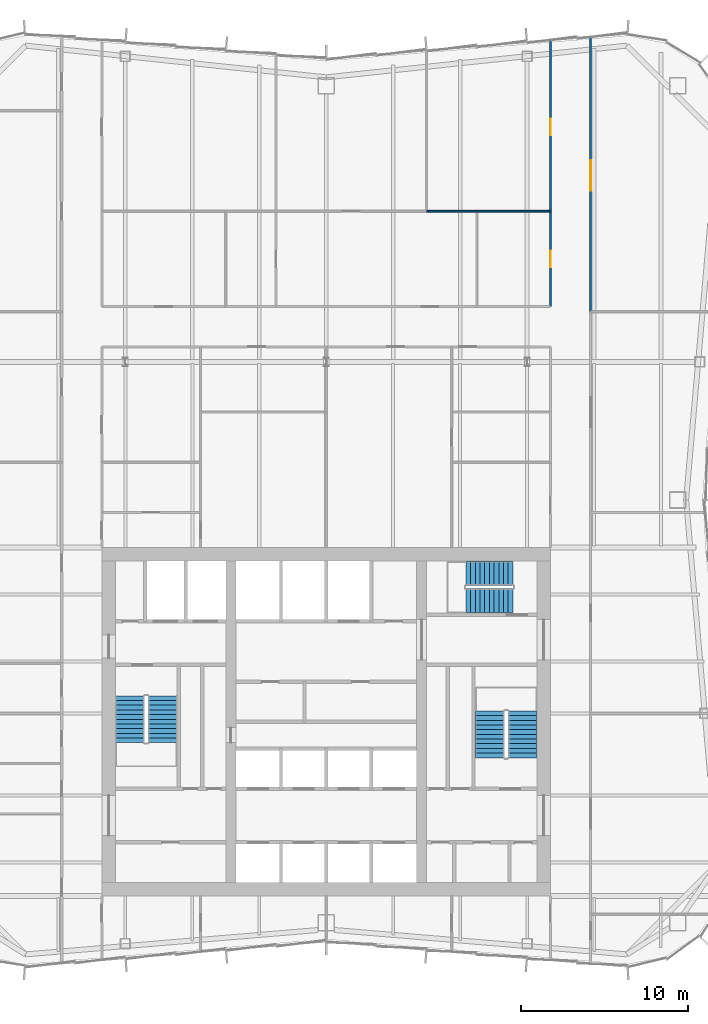
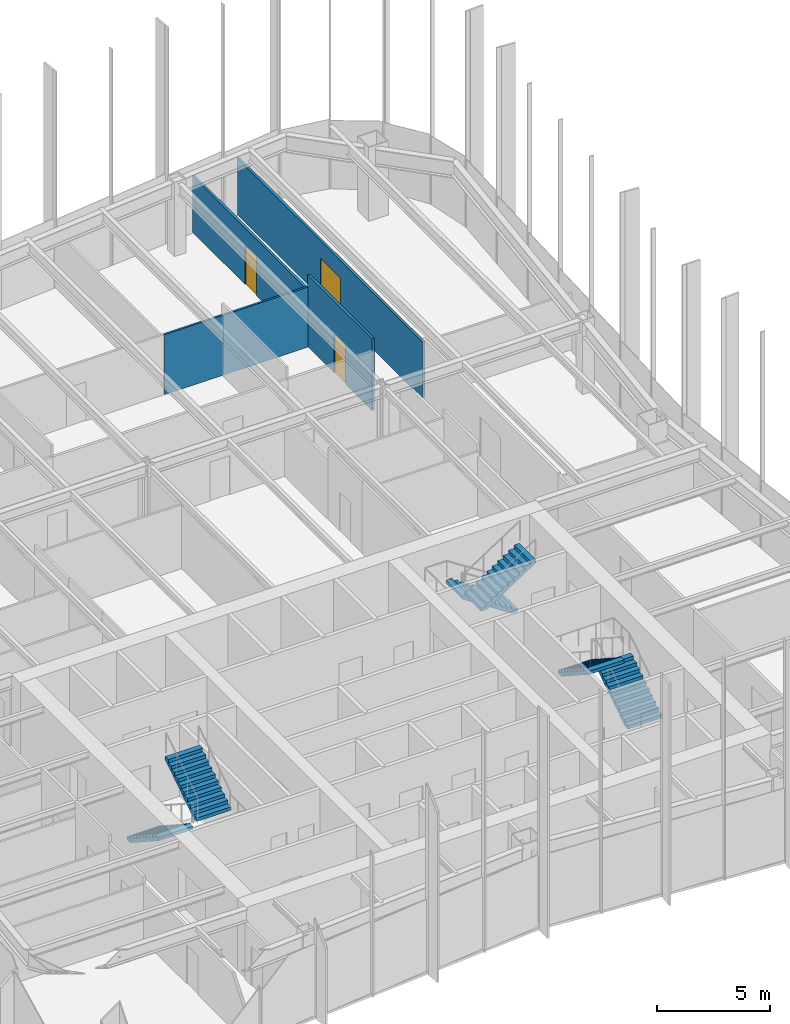
# One storey, part 14 of 15: 6 stair flights, 5 walls, 3 doors, 3 openings, 3 elements without a shape of their own.
"""IFC4 building model written with IfcOpenShell, lengths in metres."""

from ifc_helpers import new_model, si_unit, direction, frame, frame_2d, origin, place, context, subcontext, project, spatial, polyline, rectangle, outline, extrude, material, layer, layer_set, type_object, element, fill, aggregate, save


model = new_model("IFC4")

# Units and contexts
model_context = context("Model", 3, precision=1e-05, world=origin(), true_north=direction((0.0, 1.0)))
body_context = subcontext(model_context, "Body", "Model", "MODEL_VIEW")
ifc_project = project(units=[si_unit("LENGTHUNIT", "METRE"), si_unit("AREAUNIT", "SQUARE_METRE"), si_unit("VOLUMEUNIT", "CUBIC_METRE"), si_unit("PLANEANGLEUNIT", "RADIAN"), si_unit("MASSUNIT", "GRAM", prefix="KILO")], contexts=[model_context])

# Site, building, storey
site_placement = place(None, origin())
site = spatial("IfcSite", under=ifc_project, at=site_placement, CompositionType="ELEMENT")
building_placement = place(site_placement, origin())
building = spatial("IfcBuilding", under=site, at=building_placement, Name="Verdant Reach Tower", CompositionType="ELEMENT")
storey_placement = place(building_placement, frame((0.0, 0.0, 250.0)))
storey = spatial("IfcBuildingStorey", under=building, at=storey_placement, Name="L57", CompositionType="ELEMENT", Elevation=250.0)

# Walls
ifc_material_1 = material(Name="Gypsum board on steel studs", Category="steel")
ifc_layer_1 = layer(ifc_material_1, 0.10009765625)
ifc_layer_set_1 = layer_set([ifc_layer_1], Name="FL-W1 Partition 100")
wall_type_1 = type_object("IfcWallType", Name="FL-W1 Partition 100", PredefinedType="PARTITIONING", material=ifc_layer_set_1)
wall_1_placement = place(storey_placement, frame((9.00390625, 58.5, 0.0), z_axis=(0.0, 0.0, 1.0), x_axis=(-1.0, 0.0, 0.0)))
element("IfcWall", 1, at=wall_1_placement, inside=storey, type_object=wall_type_1, Name="Partition 57.68", PredefinedType="PARTITIONING", context=body_context, shape_type="SweptSolid", body=[
    extrude(rectangle(XDim=3.00390625, YDim=0.10009765625, at=frame_2d((1.501953125, 0.0))), origin(), (0.0, 0.0, 1.0), 3.239990234375),
])
wall_2_placement = place(storey_placement, frame((13.39990234375, 58.5, 0.0), z_axis=(0.0, 0.0, 1.0), x_axis=(-1.0, 0.0, 0.0)))
element("IfcWall", 2, at=wall_2_placement, inside=storey, type_object=wall_type_1, Name="Partition 57.69", PredefinedType="PARTITIONING", context=body_context, shape_type="SweptSolid", body=[
    extrude(rectangle(XDim=4.40380859375, YDim=0.10009765625, at=frame_2d((2.201904296875, 0.0))), origin(), (0.0, 0.0, 1.0), 3.239990234375),
])

# Wall, opening, door
ifc_material_2 = material(Name="Gypsum board on steel studs, fire rated", Category="steel")
ifc_layer_2 = layer(ifc_material_2, 0.125)
ifc_layer_set_2 = layer_set([ifc_layer_2], Name="FL-W2 Corridor wall 125")
wall_type_2 = type_object("IfcWallType", Name="FL-W2 Corridor wall 125", PredefinedType="PARTITIONING", material=ifc_layer_set_2)
wall_3_placement = place(storey_placement, frame((15.800048828125, 52.5, 0.0), z_axis=(0.0, 0.0, 1.0), x_axis=(0.0, 1.0, 0.0)))
wall_3 = element("IfcWall", 3, at=wall_3_placement, inside=storey, type_object=wall_type_2, Name="Partition 57.13", PredefinedType="PARTITIONING", context=body_context, shape_type="SweptSolid", body=[
    extrude(rectangle(XDim=16.396728515625, YDim=0.125, at=frame_2d((8.1982421875, 0.0))), origin(), (0.0, 0.0, 1.0), 3.0400390625),
])
opening_1_placement = place(wall_3_placement, frame((7.233154296875, 0.0, 0.0)))
opening_1 = element("IfcOpeningElement", 4, at=opening_1_placement, cuts=wall_3, Name="Opening D4", PredefinedType="OPENING", context=body_context, shape_type="SweptSolid", body=[
    extrude(rectangle(XDim=1.800048828125, YDim=2.10009765625, at=frame_2d((0.89990234375, 1.050048828125))), frame((0.0, 0.072509765625, 0.0), z_axis=(0.0, -1.0, 0.0), x_axis=(1.0, 0.0, 0.0)), (0.0, 0.0, 1.0), 0.14501953125),
])
ifc_material_3 = material(Name="Timber door leaves, fire rated", Category="wood")
door_type_1 = type_object("IfcDoorType", Name="FL-D4 Double door 1800x2100 FD30", OperationType="DOUBLE_DOOR_SINGLE_SWING", PredefinedType="DOOR", material=ifc_material_3)
door_1_placement = place(opening_1_placement, origin())
door_1 = element("IfcDoor", 5, at=door_1_placement, inside=storey, type_object=door_type_1, Name="Door 57-013", OperationType="DOUBLE_DOOR_SINGLE_SWING", OverallHeight=2.10009765625, OverallWidth=1.800048828125, PredefinedType="DOOR", context=body_context, shape_type="SweptSolid", body=[
    extrude(rectangle(XDim=1.800048828125, YDim=2.10009765625, at=frame_2d((0.89990234375, 1.050048828125))), frame((0.0, 0.02490234375, 0.0), z_axis=(0.0, -1.0, 0.0), x_axis=(1.0, 0.0, 0.0)), (0.0, 0.0, 1.0), 0.050048828125),
])
fill(opening_1, door_1)

wall_4_placement = place(storey_placement, frame((13.39990234375, 52.800048828125, 0.0), z_axis=(0.0, 0.0, 1.0), x_axis=(0.0, 1.0, 0.0)))
wall_4 = element("IfcWall", 6, at=wall_4_placement, inside=storey, type_object=wall_type_2, Name="Partition 57.30", PredefinedType="PARTITIONING", context=body_context, shape_type="SweptSolid", body=[
    extrude(rectangle(XDim=5.699951171875, YDim=0.125, at=frame_2d((2.85009765625, 0.0))), origin(), (0.0, 0.0, 1.0), 3.8701171875),
])
opening_2_placement = place(wall_4_placement, frame((2.35009765625, 0.0, 0.0)))
opening_2 = element("IfcOpeningElement", 7, at=opening_2_placement, cuts=wall_4, Name="Opening D2", PredefinedType="OPENING", context=body_context, shape_type="SweptSolid", body=[
    extrude(rectangle(XDim=1.0, YDim=2.10009765625, at=frame_2d((0.5, 1.050048828125))), frame((0.0, 0.072509765625, 0.0), z_axis=(0.0, -1.0, 0.0), x_axis=(1.0, 0.0, 0.0)), (0.0, 0.0, 1.0), 0.14501953125),
])
ifc_material_4 = material(Name="Timber door leaf, fire rated", Category="wood")
door_type_2 = type_object("IfcDoorType", Name="FL-D2 Entrance door 1000x2100 FD30", OperationType="NOTDEFINED", PredefinedType="DOOR", material=ifc_material_4)
door_2_placement = place(opening_2_placement, origin())
door_2 = element("IfcDoor", 8, at=door_2_placement, inside=storey, type_object=door_type_2, Name="Door 57-024", OperationType="SINGLE_SWING_RIGHT", OverallHeight=2.10009765625, OverallWidth=1.0, PredefinedType="DOOR", context=body_context, shape_type="SweptSolid", body=[
    extrude(rectangle(XDim=1.0, YDim=2.10009765625, at=frame_2d((0.5, 1.050048828125))), frame((0.0, 0.02490234375, 0.0), z_axis=(0.0, -1.0, 0.0), x_axis=(1.0, 0.0, 0.0)), (0.0, 0.0, 1.0), 0.050048828125),
])
fill(opening_2, door_2)

wall_5_placement = place(storey_placement, frame((13.39990234375, 58.5, 0.0), z_axis=(0.0, 0.0, 1.0), x_axis=(0.0, 1.0, 0.0)))
wall_5 = element("IfcWall", 9, at=wall_5_placement, inside=storey, type_object=wall_type_2, Name="Partition 57.33", PredefinedType="PARTITIONING", context=body_context, shape_type="SweptSolid", body=[
    extrude(rectangle(XDim=10.19677734375, YDim=0.125, at=frame_2d((5.098388671875, 0.0))), origin(), (0.0, 0.0, 1.0), 3.0400390625),
])
opening_3_placement = place(wall_5_placement, frame((4.533203125, 0.0, 0.0)))
opening_3 = element("IfcOpeningElement", 10, at=opening_3_placement, cuts=wall_5, Name="Opening D2", PredefinedType="OPENING", context=body_context, shape_type="SweptSolid", body=[
    extrude(rectangle(XDim=1.0, YDim=2.10009765625, at=frame_2d((0.5, 1.050048828125))), frame((0.0, 0.072509765625, 0.0), z_axis=(0.0, -1.0, 0.0), x_axis=(1.0, 0.0, 0.0)), (0.0, 0.0, 1.0), 0.14501953125),
])
door_3_placement = place(opening_3_placement, origin())
door_3 = element("IfcDoor", 11, at=door_3_placement, inside=storey, type_object=door_type_2, Name="Door 57-026", OperationType="SINGLE_SWING_LEFT", OverallHeight=2.10009765625, OverallWidth=1.0, PredefinedType="DOOR", context=body_context, shape_type="SweptSolid", body=[
    extrude(rectangle(XDim=1.0, YDim=2.10009765625, at=frame_2d((0.5, 1.050048828125))), frame((0.0, 0.02490234375, 0.0), z_axis=(0.0, -1.0, 0.0), x_axis=(1.0, 0.0, 0.0)), (0.0, 0.0, 1.0), 0.050048828125),
])
fill(opening_3, door_3)

# Stair, stair flights
ifc_material_5 = material(Name="Concrete C40/50", Category="concrete")
stair_type = type_object("IfcStairType", Name="CO-STAIR", PredefinedType="HALF_TURN_STAIR", material=ifc_material_5)
stair_1_placement = place(storey_placement, origin())
stair_1 = element("IfcStair", 12, at=stair_1_placement, inside=storey, type_object=stair_type, Name="L57 Exit stair 1", PredefinedType="HALF_TURN_STAIR")
stair_flight_type = type_object("IfcStairFlightType", Name="CO-STAIR-FLIGHT", PredefinedType="STRAIGHT", material=ifc_material_5)
stair_flight_1_placement = place(storey_placement, frame((-11.72509765625, 29.550048828125, 0.0), z_axis=(0.0, 0.0, 1.0), x_axis=(0.0, -1.0, 0.0)))
stair_flight_1 = element("IfcStairFlight", 13, at=stair_flight_1_placement, type_object=stair_flight_type, Name="ST-1 flight 1", NumberOfRisers=11, NumberOfTreads=10, PredefinedType="STRAIGHT", RiserHeight=0.181818182, TreadLength=0.28, context=body_context, shape_type="SweptSolid", body=[
    extrude(outline(polyline([(0.0, 0.0), (0.0, 0.181884765625), (0.280029296875, 0.181884765625), (0.280029296875, 0.363525390625), (0.56005859375, 0.363525390625), (0.56005859375, 0.54541015625), (0.840087890625, 0.54541015625), (0.840087890625, 0.727294921875), (1.1201171875, 0.727294921875), (1.1201171875, 0.9091796875), (1.39990234375, 0.9091796875), (1.39990234375, 1.0908203125), (1.679931640625, 1.0908203125), (1.679931640625, 1.272705078125), (1.9599609375, 1.272705078125), (1.9599609375, 1.45458984375), (2.239990234375, 1.45458984375), (2.239990234375, 1.636474609375), (2.52001953125, 1.636474609375), (2.52001953125, 1.818115234375), (2.800048828125, 1.818115234375), (2.800048828125, 2.0), (2.800048828125, 1.639404296875), (0.275146484375, 0.0), (0.0, 0.0)])), frame((0.0, 0.875, 0.0), z_axis=(0.0, -1.0, 0.0), x_axis=(1.0, 0.0, 0.0)), (0.0, 0.0, 1.0), 1.75),
])
stair_flight_2_placement = place(storey_placement, frame((-9.77490234375, 26.75, 2.0), z_axis=(0.0, 0.0, 1.0), x_axis=(0.0, 1.0, 0.0)))
stair_flight_2 = element("IfcStairFlight", 14, at=stair_flight_2_placement, type_object=stair_flight_type, Name="ST-1 flight 2", NumberOfRisers=11, NumberOfTreads=10, PredefinedType="STRAIGHT", RiserHeight=0.181818182, TreadLength=0.28, context=body_context, shape_type="SweptSolid", body=[
    extrude(outline(polyline([(0.0, 0.0), (0.0, 0.181884765625), (0.280029296875, 0.181884765625), (0.280029296875, 0.363525390625), (0.56005859375, 0.363525390625), (0.56005859375, 0.54541015625), (0.840087890625, 0.54541015625), (0.840087890625, 0.727294921875), (1.1201171875, 0.727294921875), (1.1201171875, 0.9091796875), (1.39990234375, 0.9091796875), (1.39990234375, 1.0908203125), (1.679931640625, 1.0908203125), (1.679931640625, 1.272705078125), (1.9599609375, 1.272705078125), (1.9599609375, 1.45458984375), (2.239990234375, 1.45458984375), (2.239990234375, 1.636474609375), (2.52001953125, 1.636474609375), (2.52001953125, 1.818115234375), (2.800048828125, 1.818115234375), (2.800048828125, 2.0), (2.800048828125, 1.639404296875), (0.275146484375, 0.0), (0.0, 0.0)])), frame((0.0, 0.875, 0.0), z_axis=(0.0, -1.0, 0.0), x_axis=(1.0, 0.0, 0.0)), (0.0, 0.0, 1.0), 1.75),
])
aggregate(stair_1, [stair_flight_1, stair_flight_2])

stair_2_placement = place(storey_placement, origin())
stair_2 = element("IfcStair", 15, at=stair_2_placement, inside=storey, type_object=stair_type, Name="L57 Exit stair 2", PredefinedType="HALF_TURN_STAIR")
stair_flight_3_placement = place(storey_placement, frame((11.72509765625, 25.85009765625, 0.0), z_axis=(0.0, 0.0, 1.0), x_axis=(0.0, 1.0, 0.0)))
stair_flight_3 = element("IfcStairFlight", 16, at=stair_flight_3_placement, type_object=stair_flight_type, Name="ST-2 flight 1", NumberOfRisers=11, NumberOfTreads=10, PredefinedType="STRAIGHT", RiserHeight=0.181818182, TreadLength=0.28, context=body_context, shape_type="SweptSolid", body=[
    extrude(outline(polyline([(0.0, 0.0), (0.0, 0.181884765625), (0.280029296875, 0.181884765625), (0.280029296875, 0.363525390625), (0.56005859375, 0.363525390625), (0.56005859375, 0.54541015625), (0.840087890625, 0.54541015625), (0.840087890625, 0.727294921875), (1.1201171875, 0.727294921875), (1.1201171875, 0.9091796875), (1.39990234375, 0.9091796875), (1.39990234375, 1.0908203125), (1.679931640625, 1.0908203125), (1.679931640625, 1.272705078125), (1.9599609375, 1.272705078125), (1.9599609375, 1.45458984375), (2.239990234375, 1.45458984375), (2.239990234375, 1.636474609375), (2.52001953125, 1.636474609375), (2.52001953125, 1.818115234375), (2.800048828125, 1.818115234375), (2.800048828125, 2.0), (2.800048828125, 1.639404296875), (0.275146484375, 0.0), (0.0, 0.0)])), frame((0.0, 0.875, 0.0), z_axis=(0.0, -1.0, 0.0), x_axis=(1.0, 0.0, 0.0)), (0.0, 0.0, 1.0), 1.75),
])
stair_flight_4_placement = place(storey_placement, frame((9.77490234375, 28.64990234375, 2.0), z_axis=(0.0, 0.0, 1.0), x_axis=(0.0, -1.0, 0.0)))
stair_flight_4 = element("IfcStairFlight", 17, at=stair_flight_4_placement, type_object=stair_flight_type, Name="ST-2 flight 2", NumberOfRisers=11, NumberOfTreads=10, PredefinedType="STRAIGHT", RiserHeight=0.181818182, TreadLength=0.28, context=body_context, shape_type="SweptSolid", body=[
    extrude(outline(polyline([(0.0, 0.0), (0.0, 0.181884765625), (0.280029296875, 0.181884765625), (0.280029296875, 0.363525390625), (0.56005859375, 0.363525390625), (0.56005859375, 0.54541015625), (0.840087890625, 0.54541015625), (0.840087890625, 0.727294921875), (1.1201171875, 0.727294921875), (1.1201171875, 0.9091796875), (1.39990234375, 0.9091796875), (1.39990234375, 1.0908203125), (1.679931640625, 1.0908203125), (1.679931640625, 1.272705078125), (1.9599609375, 1.272705078125), (1.9599609375, 1.45458984375), (2.239990234375, 1.45458984375), (2.239990234375, 1.636474609375), (2.52001953125, 1.636474609375), (2.52001953125, 1.818115234375), (2.800048828125, 1.818115234375), (2.800048828125, 2.0), (2.800048828125, 1.639404296875), (0.275146484375, 0.0), (0.0, 0.0)])), frame((0.0, 0.875, 0.0), z_axis=(0.0, -1.0, 0.0), x_axis=(1.0, 0.0, 0.0)), (0.0, 0.0, 1.0), 1.75),
])
aggregate(stair_2, [stair_flight_3, stair_flight_4])

stair_3_placement = place(storey_placement, origin())
stair_3 = element("IfcStair", 18, at=stair_3_placement, inside=storey, type_object=stair_type, Name="L57 Exit stair 3", PredefinedType="HALF_TURN_STAIR")
stair_flight_5_placement = place(storey_placement, frame((11.14990234375, 36.875, 0.0), z_axis=(0.0, 0.0, 1.0), x_axis=(-1.0, 0.0, 0.0)))
stair_flight_5 = element("IfcStairFlight", 19, at=stair_flight_5_placement, type_object=stair_flight_type, Name="ST-3 flight 1", NumberOfRisers=11, NumberOfTreads=10, PredefinedType="STRAIGHT", RiserHeight=0.181818182, TreadLength=0.28, context=body_context, shape_type="SweptSolid", body=[
    extrude(outline(polyline([(0.0, 0.0), (0.0, 0.181884765625), (0.280029296875, 0.181884765625), (0.280029296875, 0.363525390625), (0.56005859375, 0.363525390625), (0.56005859375, 0.54541015625), (0.840087890625, 0.54541015625), (0.840087890625, 0.727294921875), (1.1201171875, 0.727294921875), (1.1201171875, 0.9091796875), (1.39990234375, 0.9091796875), (1.39990234375, 1.0908203125), (1.679931640625, 1.0908203125), (1.679931640625, 1.272705078125), (1.9599609375, 1.272705078125), (1.9599609375, 1.45458984375), (2.239990234375, 1.45458984375), (2.239990234375, 1.636474609375), (2.52001953125, 1.636474609375), (2.52001953125, 1.818115234375), (2.800048828125, 1.818115234375), (2.800048828125, 2.0), (2.800048828125, 1.639404296875), (0.275146484375, 0.0), (0.0, 0.0)])), frame((0.0, 0.72509765625, 0.0), z_axis=(0.0, -1.0, 0.0), x_axis=(1.0, 0.0, 0.0)), (0.0, 0.0, 1.0), 1.449951171875),
])
stair_flight_6_placement = place(storey_placement, frame((8.35009765625, 35.22509765625, 2.0), z_axis=(0.0, 0.0, 1.0), x_axis=(1.0, 0.0, 0.0)))
stair_flight_6 = element("IfcStairFlight", 20, at=stair_flight_6_placement, type_object=stair_flight_type, Name="ST-3 flight 2", NumberOfRisers=11, NumberOfTreads=10, PredefinedType="STRAIGHT", RiserHeight=0.181818182, TreadLength=0.28, context=body_context, shape_type="SweptSolid", body=[
    extrude(outline(polyline([(0.0, 0.0), (0.0, 0.181884765625), (0.280029296875, 0.181884765625), (0.280029296875, 0.363525390625), (0.56005859375, 0.363525390625), (0.56005859375, 0.54541015625), (0.840087890625, 0.54541015625), (0.840087890625, 0.727294921875), (1.1201171875, 0.727294921875), (1.1201171875, 0.9091796875), (1.39990234375, 0.9091796875), (1.39990234375, 1.0908203125), (1.679931640625, 1.0908203125), (1.679931640625, 1.272705078125), (1.9599609375, 1.272705078125), (1.9599609375, 1.45458984375), (2.239990234375, 1.45458984375), (2.239990234375, 1.636474609375), (2.52001953125, 1.636474609375), (2.52001953125, 1.818115234375), (2.800048828125, 1.818115234375), (2.800048828125, 2.0), (2.800048828125, 1.639404296875), (0.275146484375, 0.0), (0.0, 0.0)])), frame((0.0, 0.72509765625, 0.0), z_axis=(0.0, -1.0, 0.0), x_axis=(1.0, 0.0, 0.0)), (0.0, 0.0, 1.0), 1.449951171875),
])
aggregate(stair_3, [stair_flight_5, stair_flight_6])

save(model, "model.ifc")
